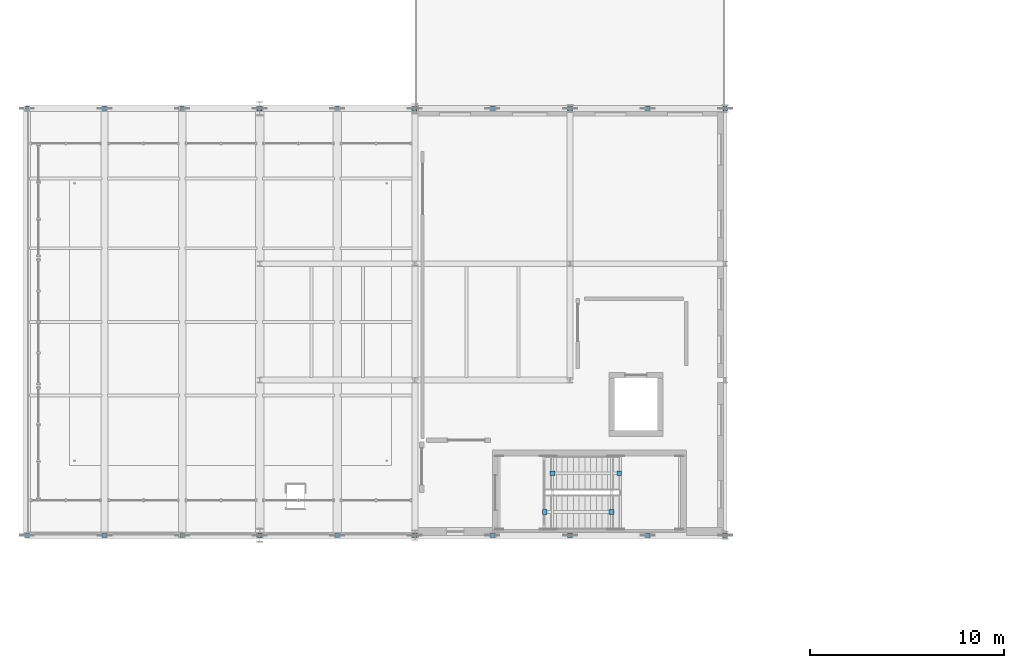
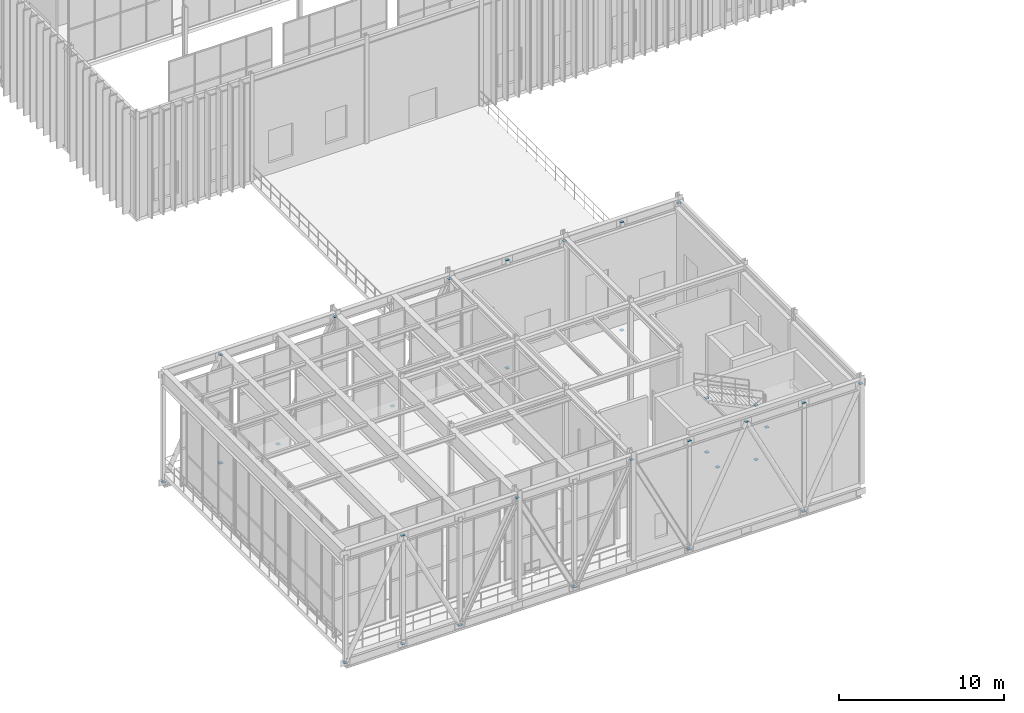
# One storey, part 117 of 138: 32 discrete accessories.
"""IFC4 building model written with IfcOpenShell, lengths in metres."""

import ifcopenshell
import ifcopenshell.guid

model = None  # the IFC model being written
_history = None  # IfcOwnerHistory: only IFC2X3 demands one
_inside = {}  # id of a spatial element -> (the spatial element, [elements in it])
_under = {}  # id of a project, library or spatial element -> (it, [spatial elements below it])
_declared = {}  # id of a project -> (the project, [libraries it declares])
_typed = {}  # id of a type object -> (the type object, [elements of that type])
_made_of = {}  # id of a material, layer set ... -> (it, [elements and type objects made of it])


def new_model(schema):
    """Start an empty IFC model of exactly this schema.

    Asked for "IFC4X3", IfcOpenShell would pick the latest addendum, in which some entities
    have other attributes; the version numbers below select the first issue.
    IFC2X3 requires an IfcOwnerHistory on every rooted entity: one is made here for all.
    """
    global model, _history
    if schema == "IFC4X3":
        model = ifcopenshell.file(schema_version=(4, 3, 0, 0))
    else:
        model = ifcopenshell.file(schema=schema)
    _inside.clear()
    _under.clear()
    _declared.clear()
    _typed.clear()
    _made_of.clear()
    _history = None
    if model.schema == "IFC2X3":
        org = make("IfcOrganization", Name="unknown")
        user = make(
            "IfcPersonAndOrganization",
            ThePerson=make("IfcPerson", FamilyName="unknown"),
            TheOrganization=org,
        )
        app = make(
            "IfcApplication",
            ApplicationDeveloper=org,
            Version="unknown",
            ApplicationFullName="unknown",
            ApplicationIdentifier="unknown",
        )
        _history = make(
            "IfcOwnerHistory",
            OwningUser=user,
            OwningApplication=app,
            ChangeAction="ADDED",
            CreationDate=0,
        )
    return model


def make(cls, **values):
    """One entity of the class cls with the attributes given. An attribute that is None is left unset."""
    return model.create_entity(
        cls, **{name: value for name, value in values.items() if value is not None}
    )


def rooted(cls, **values):
    """An entity with a GlobalId (a new one), such as an element, a storey or a relation."""
    return make(cls, GlobalId=ifcopenshell.guid.new(), OwnerHistory=_history, **values)


def si_unit(unit_type, name, prefix=None):
    """IfcSIUnit, for example si_unit("LENGTHUNIT", "METRE", prefix="MILLI")."""
    return make("IfcSIUnit", UnitType=unit_type, Prefix=prefix, Name=name)


def assignment(units):
    """IfcUnitAssignment: the units of a project."""
    return None if units is None else make("IfcUnitAssignment", Units=units)


def point(xyz):
    """IfcCartesianPoint."""
    return None if xyz is None else make("IfcCartesianPoint", Coordinates=xyz)


def direction(xyz):
    """IfcDirection."""
    return None if xyz is None else make("IfcDirection", DirectionRatios=xyz)


def frame(location, z_axis=None, x_axis=None):
    """IfcAxis2Placement3D, a coordinate frame: its origin and axes. An axis left out is left unset."""
    return make(
        "IfcAxis2Placement3D",
        Location=point(location),
        Axis=direction(z_axis),
        RefDirection=direction(x_axis),
    )


def frame_2d(location, x_axis=None):
    """IfcAxis2Placement2D, a coordinate frame in the plane: its origin and x axis."""
    return make(
        "IfcAxis2Placement2D", Location=point(location), RefDirection=direction(x_axis)
    )


def origin():
    """The frame at (0, 0, 0) with its axes left unset."""
    return frame((0.0, 0.0, 0.0))


def origin_2d():
    """The frame at (0, 0) in the plane with its x axis left unset."""
    return frame_2d((0.0, 0.0))


def place(relative_to, where):
    """IfcLocalPlacement: puts the frame where relative to a parent placement (None: the world)."""
    return make(
        "IfcLocalPlacement", PlacementRelTo=relative_to, RelativePlacement=where
    )


def context(
    kind, dimensions, precision=None, world=None, true_north=None, identifier=None
):
    """IfcGeometricRepresentationContext, for example the 3D "Model" context."""
    return make(
        "IfcGeometricRepresentationContext",
        ContextIdentifier=identifier,
        ContextType=kind,
        CoordinateSpaceDimension=dimensions,
        Precision=precision,
        WorldCoordinateSystem=world,
        TrueNorth=true_north,
    )


def subcontext(parent, identifier, kind, view, scale=None):
    """IfcGeometricRepresentationSubContext, for example "Body" below "Model"."""
    return make(
        "IfcGeometricRepresentationSubContext",
        ContextIdentifier=identifier,
        ContextType=kind,
        ParentContext=parent,
        TargetScale=scale,
        TargetView=view,
    )


def project(units=None, contexts=None):
    """IfcProject with its units and contexts."""
    return rooted(
        "IfcProject",
        Name="project",
        RepresentationContexts=contexts,
        UnitsInContext=assignment(units),
    )


def spatial(cls, under=None, at=None, **own):
    """A site, building, storey or space (cls), placed at a placement, below another one or the project."""
    s = rooted(cls, ObjectPlacement=at, **own)
    if under is not None:
        _under.setdefault(under.id(), (under, []))[1].append(s)
    return s


def profile(cls, at=None, kind="AREA", **sizes):
    """A parametric profile (cls). Its sizes go by their IFC names, for example OverallWidth=200.0."""
    return make(cls, ProfileType=kind, Position=at, **sizes)


def rectangle(**sizes):
    """IfcRectangleProfileDef."""
    return profile("IfcRectangleProfileDef", **sizes)


def extrude(swept, where, along, depth):
    """IfcExtrudedAreaSolid: the profile swept, set in the frame where, extruded along a direction by depth."""
    return make(
        "IfcExtrudedAreaSolid",
        SweptArea=swept,
        Position=where,
        ExtrudedDirection=direction(along),
        Depth=depth,
    )


def shape(context_of_items, identifier, shape_type, items):
    """IfcShapeRepresentation: the items that make up one representation, for example the "Body"."""
    return make(
        "IfcShapeRepresentation",
        ContextOfItems=context_of_items,
        RepresentationIdentifier=identifier,
        RepresentationType=shape_type,
        Items=items,
    )


def material(Name=None, Category=None):
    """IfcMaterial."""
    return make("IfcMaterial", Name=Name, Category=Category)


def made_of(thing, what):
    """Note that an element or type object is made of a material, layer set ...; save() writes the relation."""
    if what is not None:
        _made_of.setdefault(what.id(), (what, []))[1].append(thing)
    return thing


def type_object(cls, material=None, **own):
    """A type object (cls), such as IfcWallType, which elements share."""
    return made_of(rooted(cls, **own), material)


def element(
    cls,
    number,
    at=None,
    inside=None,
    cuts=None,
    type_object=None,
    material=None,
    context=None,
    identifier="Body",
    shape_type=None,
    held_by="IfcProductDefinitionShape",
    body=None,
    shapes=None,
    **own,
):
    """One element of the class cls, such as IfcWall. Its Tag is "e" and its number.

    at: its placement. inside: the storey or other place that contains it. cuts: it is an
    opening in that element (IfcRelVoidsElement). A single representation is given by context,
    identifier, shape_type and body (its items); several are given by shapes. held_by: the class
    of the entity that holds the representations. save() writes the other relations.
    """
    e = rooted(cls, Tag="e%d" % number, ObjectPlacement=at, **own)
    if body is not None:
        shapes = [shape(context, identifier, shape_type, body)]
    if shapes is not None:
        e.Representation = make(held_by, Representations=shapes)
    if inside is not None:
        _inside.setdefault(inside.id(), (inside, []))[1].append(e)
    if cuts is not None:
        rooted(
            "IfcRelVoidsElement", RelatingBuildingElement=cuts, RelatedOpeningElement=e
        )
    if type_object is not None:
        _typed.setdefault(type_object.id(), (type_object, []))[1].append(e)
    return made_of(e, material)


def aggregate(whole, parts):
    """IfcRelAggregates: a whole, such as a stair, and the parts it consists of."""
    return rooted("IfcRelAggregates", RelatingObject=whole, RelatedObjects=parts)


def save(model, path):
    """Write the relations noted so far, then the file.

    IfcRelAggregates (storeys below a building ...), IfcRelContainedInSpatialStructure (elements
    in a storey), IfcRelDefinesByType, IfcRelAssociatesMaterial and IfcRelDeclares: one each for
    every whole, place, type object, material and project.
    """
    for whole, parts in _under.values():
        aggregate(whole, parts)
    for where, things in _inside.values():
        rooted(
            "IfcRelContainedInSpatialStructure",
            RelatedElements=things,
            RelatingStructure=where,
        )
    for kind, things in _typed.values():
        rooted("IfcRelDefinesByType", RelatedObjects=things, RelatingType=kind)
    for what, things in _made_of.values():
        rooted("IfcRelAssociatesMaterial", RelatedObjects=things, RelatingMaterial=what)
    for by, libraries in _declared.values():
        rooted("IfcRelDeclares", RelatingContext=by, RelatedDefinitions=libraries)
    model.write(path)


model = new_model("IFC4")

# Units and contexts
model_context = context("Model", 3, precision=1e-05, world=origin(), true_north=direction((0.0, 1.0)))
body_context = subcontext(model_context, "Body", "Model", "MODEL_VIEW")
ifc_project = project(units=[si_unit("LENGTHUNIT", "METRE"), si_unit("AREAUNIT", "SQUARE_METRE"), si_unit("VOLUMEUNIT", "CUBIC_METRE"), si_unit("PLANEANGLEUNIT", "RADIAN"), si_unit("MASSUNIT", "GRAM", prefix="KILO")], contexts=[model_context])

# Site, building, storey
site_placement = place(None, origin())
site = spatial("IfcSite", under=ifc_project, at=site_placement, CompositionType="ELEMENT")
building_placement = place(site_placement, origin())
building = spatial("IfcBuilding", under=site, at=building_placement, Name="Sundkrona Museum", CompositionType="ELEMENT")
storey_placement = place(building_placement, frame((0.0, 0.0, 9.60009765625)))
storey = spatial("IfcBuildingStorey", under=building, at=storey_placement, Name="L02", CompositionType="ELEMENT", Elevation=9.60009765625)

# Discrete accessories
ifc_material = material(Name="Stainless Steel EN 1.4404 Cleat", Category="steel")
discrete_accessory_type = type_object("IfcDiscreteAccessoryType", Name="BRK-FIN-01", PredefinedType="BRACKET", material=ifc_material)
for number, where, z_axis, x_axis, name in (
    (1, (4.0, 32.0, -0.692626953125), (0.0, 0.0, 1.0), (1.0, 0.0, 0.0), "Brace and Strut End Connection Plate TR4-S-DG-01-1"),
    (2, (8.0, 32.0, 7.307373046875), (0.0, 0.0, 1.0), (1.0, 0.0, 0.0), "Brace and Strut End Connection Plate TR4-S-DG-01-2"),
    (3, (12.0, 32.0, -0.692626953125), (0.0, 0.0, 1.0), (1.0, 0.0, 0.0), "Brace and Strut End Connection Plate TR4-S-DG-02-2"),
    (4, (16.0, 32.0, 7.307373046875), (0.0, 0.0, 1.0), (1.0, 0.0, 0.0), "Brace and Strut End Connection Plate TR4-S-DG-03-2"),
    (5, (20.0, 32.0, -0.692626953125), (0.0, 0.0, 1.0), (1.0, 0.0, 0.0), "Brace and Strut End Connection Plate TR4-S-DG-04-2"),
    (6, (24.0, 32.0, 7.307373046875), (0.0, 0.0, 1.0), (1.0, 0.0, 0.0), "Brace and Strut End Connection Plate TR4-S-DG-05-2"),
    (7, (28.0, 32.0, -0.692626953125), (0.0, 0.0, 1.0), (1.0, 0.0, 0.0), "Brace and Strut End Connection Plate TR4-S-DG-06-2"),
    (8, (32.0, 32.0, 7.307373046875), (0.0, 0.0, 1.0), (1.0, 0.0, 0.0), "Brace and Strut End Connection Plate TR4-S-DG-07-2"),
    (9, (36.0, 32.0, -0.692626953125), (0.0, 0.0, 1.0), (1.0, 0.0, 0.0), "Brace and Strut End Connection Plate TR4-S-DG-08-2"),
    (10, (40.0, 32.0, 7.307373046875), (0.0, 0.0, 1.0), (1.0, 0.0, 0.0), "Brace and Strut End Connection Plate TR4-S-DG-09-2"),
    (11, (8.0, 32.0, -0.692626953125), (0.0, 0.0, 1.0), (1.0, 0.0, 0.0), "Brace and Strut End Connection Plate TR4-S-VT-02-1"),
    (12, (28.0, 32.0, 7.307373046875), (0.0, 0.0, 1.0), (1.0, 0.0, 0.0), "Brace and Strut End Connection Plate TR4-S-VT-07-2"),
    (13, (36.0, 32.0, 7.307373046875), (0.0, 0.0, 1.0), (1.0, 0.0, 0.0), "Brace and Strut End Connection Plate TR4-S-VT-09-2"),
    (14, (4.0, 54.0, -0.692626953125), (0.0, 0.0, 1.0), (1.0, 0.0, 0.0), "Brace and Strut End Connection Plate TR4-N-DG-01-1"),
    (15, (8.0, 54.0, 7.307373046875), (0.0, 0.0, 1.0), (1.0, 0.0, 0.0), "Brace and Strut End Connection Plate TR4-N-DG-01-2"),
    (16, (12.0, 54.0, -0.692626953125), (0.0, 0.0, 1.0), (1.0, 0.0, 0.0), "Brace and Strut End Connection Plate TR4-N-DG-02-2"),
    (17, (16.0, 54.0, 7.307373046875), (0.0, 0.0, 1.0), (1.0, 0.0, 0.0), "Brace and Strut End Connection Plate TR4-N-DG-03-2"),
    (18, (20.0, 54.0, -0.692626953125), (0.0, 0.0, 1.0), (1.0, 0.0, 0.0), "Brace and Strut End Connection Plate TR4-N-DG-04-2"),
    (19, (24.0, 54.0, 7.307373046875), (0.0, 0.0, 1.0), (1.0, 0.0, 0.0), "Brace and Strut End Connection Plate TR4-N-DG-05-2"),
    (20, (28.0, 54.0, -0.692626953125), (0.0, 0.0, 1.0), (1.0, 0.0, 0.0), "Brace and Strut End Connection Plate TR4-N-DG-06-2"),
    (21, (32.0, 54.0, 7.307373046875), (0.0, 0.0, 1.0), (1.0, 0.0, 0.0), "Brace and Strut End Connection Plate TR4-N-DG-07-2"),
    (22, (36.0, 54.0, -0.692626953125), (0.0, 0.0, 1.0), (1.0, 0.0, 0.0), "Brace and Strut End Connection Plate TR4-N-DG-08-2"),
    (23, (40.0, 54.0, 7.307373046875), (0.0, 0.0, 1.0), (1.0, 0.0, 0.0), "Brace and Strut End Connection Plate TR4-N-DG-09-2"),
    (24, (8.0, 54.0, -0.692626953125), (0.0, 0.0, 1.0), (1.0, 0.0, 0.0), "Brace and Strut End Connection Plate TR4-N-VT-02-1"),
    (25, (28.0, 54.0, 7.307373046875), (0.0, 0.0, 1.0), (1.0, 0.0, 0.0), "Brace and Strut End Connection Plate TR4-N-VT-07-2"),
    (26, (36.0, 54.0, 7.307373046875), (0.0, 0.0, 1.0), (1.0, 0.0, 0.0), "Brace and Strut End Connection Plate TR4-N-VT-09-2"),
    (27, (34.534912109375, 35.199951171875, 1.66748046875), (0.0, 0.0, 1.0), (1.0, 0.0, 0.0), "Brace and Strut End Connection Plate RK-ST-ST-4-L02-2-1"),
    (28, (31.10009765625, 35.199951171875, 3.411376953125), (0.0, 0.0, 1.0), (1.0, 0.0, 0.0), "Brace and Strut End Connection Plate RK-ST-ST-4-L02-2-2"),
    (29, (30.699951171875, 33.199951171875, 3.66748046875), (0.0, 0.0, 1.0), (1.0, 0.0, 0.0), "Brace and Strut End Connection Plate RK-ST-ST-4-L02-3-1"),
    (30, (34.135009765625, 33.199951171875, 5.411376953125), (0.0, 0.0, 1.0), (1.0, 0.0, 0.0), "Brace and Strut End Connection Plate RK-ST-ST-4-L02-3-2"),
    (31, (34.534912109375, 35.199951171875, 5.66748046875), (0.0, 0.0, 1.0), (1.0, 0.0, 0.0), "Brace and Strut End Connection Plate RK-ST-ST-4-L02-4-1"),
    (32, (31.10009765625, 35.199951171875, 7.411376953125), (0.0, 0.0, 1.0), (1.0, 0.0, 0.0), "Brace and Strut End Connection Plate RK-ST-ST-4-L02-4-2"),
):
    element("IfcDiscreteAccessory", number, at=place(storey_placement, frame(where, z_axis=z_axis, x_axis=x_axis)), inside=storey, type_object=discrete_accessory_type, Name=name, PredefinedType="BRACKET", context=body_context, shape_type="SweptSolid", body=[
        extrude(rectangle(XDim=0.239990234375, YDim=0.239990234375, at=origin_2d()), origin(), (0.0, 0.0, 1.0), 0.02490234375),
    ])

save(model, "model.ifc")
